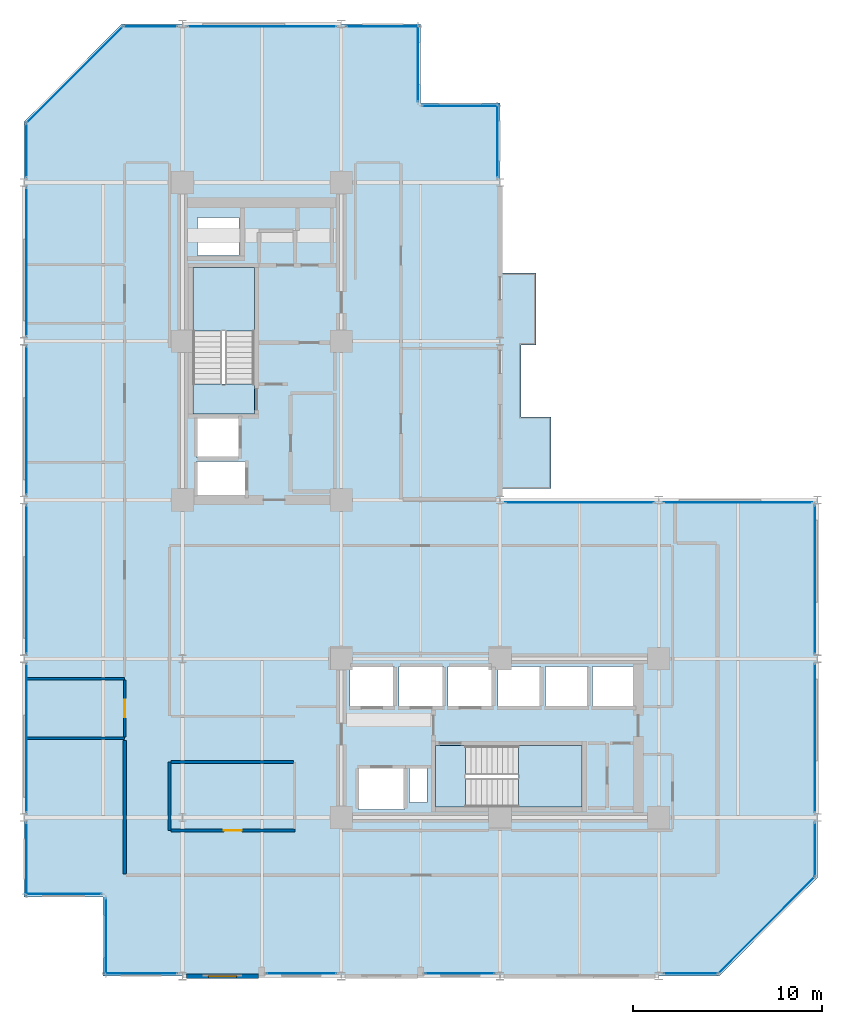
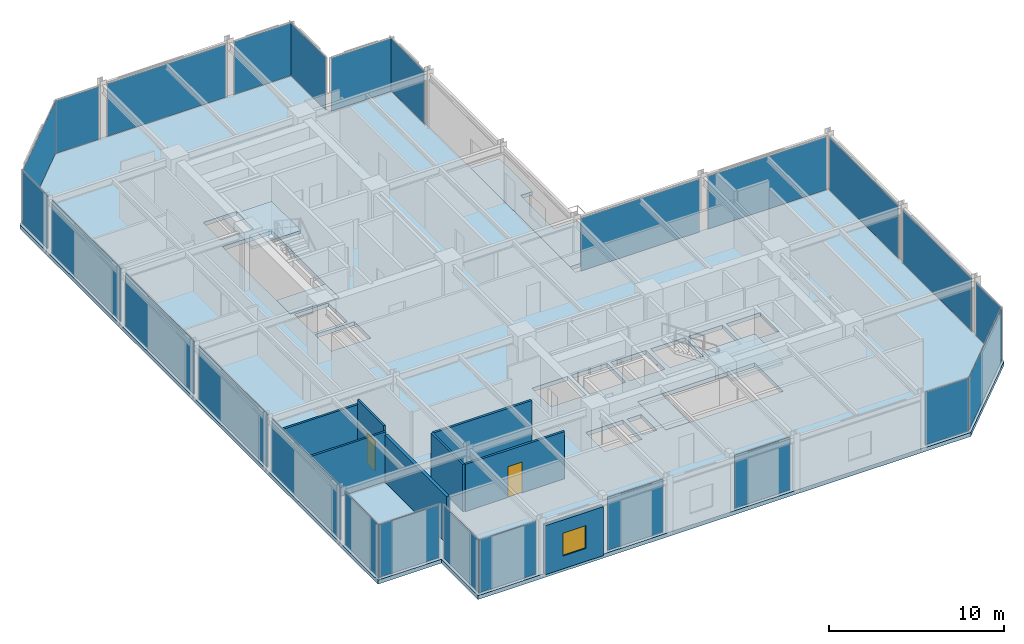
# One storey, part 23 of 29: 25 plates, 8 walls, 6 slabs, 2 doors, 1 window, 3 openings, 27 elements without a shape of their own.
"""IFC4 building model written with IfcOpenShell, lengths in metres."""

from ifc_helpers import new_model, si_unit, direction, frame, frame_2d, origin, origin_2d, place, context, subcontext, project, spatial, polyline, rectangle, outline, extrude, material, layer, layer_set, type_object, element, fill, aggregate, save


model = new_model("IFC4")

# Units and contexts
model_context = context("Model", 3, precision=1e-05, world=origin(), true_north=direction((0.0, 1.0)))
body_context = subcontext(model_context, "Body", "Model", "MODEL_VIEW")
ifc_project = project(units=[si_unit("LENGTHUNIT", "METRE"), si_unit("AREAUNIT", "SQUARE_METRE"), si_unit("VOLUMEUNIT", "CUBIC_METRE"), si_unit("PLANEANGLEUNIT", "RADIAN"), si_unit("MASSUNIT", "GRAM", prefix="KILO")], contexts=[model_context])

# Site, building, storey
site_placement = place(None, origin())
site = spatial("IfcSite", under=ifc_project, at=site_placement, CompositionType="ELEMENT")
building_placement = place(site_placement, origin())
building = spatial("IfcBuilding", under=site, at=building_placement, Name="Nerrivon Quay Data Exchange", CompositionType="ELEMENT")
storey_placement = place(building_placement, frame((0.0, 0.0, 133.60009765625)))
storey = spatial("IfcBuildingStorey", under=building, at=storey_placement, Name="L31", CompositionType="ELEMENT", Elevation=133.60009765625)

# Curtain wall, plate
ifc_material_1 = material(Name="Anodised aluminium 6063-T6", Category="aluminium")
ifc_layer_1 = layer(ifc_material_1, 0.2099609375)
ifc_layer_set_1 = layer_set([ifc_layer_1], Name="Anodised aluminium 6063-T6")
curtain_wall_type = type_object("IfcCurtainWallType", Name="CW-SYS-02", PredefinedType="NOTDEFINED", material=ifc_layer_set_1)
curtain_wall_1_placement = place(storey_placement, origin())
curtain_wall_1 = element("IfcCurtainWall", 1, at=curtain_wall_1_placement, inside=storey, type_object=curtain_wall_type, Name="L31 Unitised Curtain Wall 1", PredefinedType="NOTDEFINED")
ifc_material_2 = material(Name="Double-glazed low-E solar control glass", Category="glass")
ifc_layer_2 = layer(ifc_material_2, 0.028076171875)
ifc_layer_set_2 = layer_set([ifc_layer_2], Name="Double-glazed low-E solar control glass")
plate_type = type_object("IfcPlateType", Name="CWP-GLZ-28", PredefinedType="CURTAIN_PANEL", material=ifc_layer_set_2)
plate_1_placement = place(storey_placement, frame((39.301025390625, 2.698974609375, 0.06494140625), z_axis=(0.0, 0.0, 1.0), x_axis=(-0.707106781187, -0.707106781187, 0.0)))
plate_1 = element("IfcPlate", 2, at=plate_1_placement, type_object=plate_type, Name="CW02 panel 1.1", PredefinedType="CURTAIN_PANEL", context=body_context, shape_type="SweptSolid", body=[
    extrude(rectangle(XDim=7.203857421875, YDim=0.028076171875, at=origin_2d()), origin(), (0.0, 0.0, 1.0), 3.695068359375),
])
aggregate(curtain_wall_1, [plate_1])

curtain_wall_2_placement = place(storey_placement, origin())
curtain_wall_2 = element("IfcCurtainWall", 3, at=curtain_wall_2_placement, inside=storey, type_object=curtain_wall_type, Name="L31 Unitised Curtain Wall 2", PredefinedType="NOTDEFINED")
plate_2_placement = place(storey_placement, frame((35.300048828125, 0.139892578125, 0.06494140625), z_axis=(0.0, 0.0, 1.0), x_axis=(-1.0, 0.0, 0.0)))
plate_2 = element("IfcPlate", 4, at=plate_2_placement, type_object=plate_type, Name="CW02 panel 1.1", PredefinedType="CURTAIN_PANEL", context=body_context, shape_type="SweptSolid", body=[
    extrude(rectangle(XDim=2.85009765625, YDim=0.028076171875, at=origin_2d()), origin(), (0.0, 0.0, 1.0), 3.695068359375),
])
aggregate(curtain_wall_2, [plate_2])

curtain_wall_3_placement = place(storey_placement, origin())
curtain_wall_3 = element("IfcCurtainWall", 5, at=curtain_wall_3_placement, inside=storey, type_object=curtain_wall_type, Name="L31 Unitised Curtain Wall 4", PredefinedType="NOTDEFINED")
plate_3_placement = place(storey_placement, frame((23.08740234375, 0.139892578125, 0.06494140625), z_axis=(0.0, 0.0, 1.0), x_axis=(-1.0, 0.0, 0.0)))
plate_3 = element("IfcPlate", 6, at=plate_3_placement, type_object=plate_type, Name="CW02 panel 1.1", PredefinedType="CURTAIN_PANEL", context=body_context, shape_type="SweptSolid", body=[
    extrude(rectangle(XDim=3.675048828125, YDim=0.028076171875, at=origin_2d()), origin(), (0.0, 0.0, 1.0), 3.695068359375),
])
aggregate(curtain_wall_3, [plate_3])

curtain_wall_4_placement = place(storey_placement, origin())
curtain_wall_4 = element("IfcCurtainWall", 7, at=curtain_wall_4_placement, inside=storey, type_object=curtain_wall_type, Name="L31 Unitised Curtain Wall 6", PredefinedType="NOTDEFINED")
plate_4_placement = place(storey_placement, frame((14.6875, 0.139892578125, 0.06494140625), z_axis=(0.0, 0.0, 1.0), x_axis=(-1.0, 0.0, 0.0)))
plate_4 = element("IfcPlate", 8, at=plate_4_placement, type_object=plate_type, Name="CW02 panel 1.1", PredefinedType="CURTAIN_PANEL", context=body_context, shape_type="SweptSolid", body=[
    extrude(rectangle(XDim=3.675048828125, YDim=0.028076171875, at=origin_2d()), origin(), (0.0, 0.0, 1.0), 3.695068359375),
])
aggregate(curtain_wall_4, [plate_4])

curtain_wall_5_placement = place(storey_placement, origin())
curtain_wall_5 = element("IfcCurtainWall", 9, at=curtain_wall_5_placement, inside=storey, type_object=curtain_wall_type, Name="L31 Unitised Curtain Wall 8", PredefinedType="NOTDEFINED")
plate_5_placement = place(storey_placement, frame((6.199951171875, 0.139892578125, 0.06494140625), z_axis=(0.0, 0.0, 1.0), x_axis=(-1.0, 0.0, 0.0)))
plate_5 = element("IfcPlate", 10, at=plate_5_placement, type_object=plate_type, Name="CW02 panel 1.1", PredefinedType="CURTAIN_PANEL", context=body_context, shape_type="SweptSolid", body=[
    extrude(rectangle(XDim=3.85009765625, YDim=0.028076171875, at=origin_2d()), origin(), (0.0, 0.0, 1.0), 3.695068359375),
])
aggregate(curtain_wall_5, [plate_5])

curtain_wall_6_placement = place(storey_placement, origin())
curtain_wall_6 = element("IfcCurtainWall", 11, at=curtain_wall_6_placement, inside=storey, type_object=curtain_wall_type, Name="L31 Unitised Curtain Wall 9", PredefinedType="NOTDEFINED")
plate_6_placement = place(storey_placement, frame((4.340087890625, 2.10009765625, 0.06494140625), z_axis=(0.0, 0.0, 1.0), x_axis=(0.0, 1.0, 0.0)))
plate_6 = element("IfcPlate", 12, at=plate_6_placement, type_object=plate_type, Name="CW02 panel 1.1", PredefinedType="CURTAIN_PANEL", context=body_context, shape_type="SweptSolid", body=[
    extrude(rectangle(XDim=4.050048828125, YDim=0.028076171875, at=origin_2d()), origin(), (0.0, 0.0, 1.0), 3.695068359375),
])
aggregate(curtain_wall_6, [plate_6])

curtain_wall_7_placement = place(storey_placement, origin())
curtain_wall_7 = element("IfcCurtainWall", 13, at=curtain_wall_7_placement, inside=storey, type_object=curtain_wall_type, Name="L31 Unitised Curtain Wall 10", PredefinedType="NOTDEFINED")
plate_7_placement = place(storey_placement, frame((2.10009765625, 4.340087890625, 0.06494140625), z_axis=(0.0, 0.0, 1.0), x_axis=(-1.0, 0.0, 0.0)))
plate_7 = element("IfcPlate", 14, at=plate_7_placement, type_object=plate_type, Name="CW02 panel 1.1", PredefinedType="CURTAIN_PANEL", context=body_context, shape_type="SweptSolid", body=[
    extrude(rectangle(XDim=4.050048828125, YDim=0.028076171875, at=origin_2d()), origin(), (0.0, 0.0, 1.0), 3.695068359375),
])
aggregate(curtain_wall_7, [plate_7])

curtain_wall_8_placement = place(storey_placement, origin())
curtain_wall_8 = element("IfcCurtainWall", 15, at=curtain_wall_8_placement, inside=storey, type_object=curtain_wall_type, Name="L31 Unitised Curtain Wall 11", PredefinedType="NOTDEFINED")
plate_8_placement = place(storey_placement, frame((0.139892578125, 6.199951171875, 0.06494140625), z_axis=(0.0, 0.0, 1.0), x_axis=(0.0, 1.0, 0.0)))
plate_8 = element("IfcPlate", 16, at=plate_8_placement, type_object=plate_type, Name="CW02 panel 1.1", PredefinedType="CURTAIN_PANEL", context=body_context, shape_type="SweptSolid", body=[
    extrude(rectangle(XDim=3.85009765625, YDim=0.028076171875, at=origin_2d()), origin(), (0.0, 0.0, 1.0), 3.695068359375),
])
aggregate(curtain_wall_8, [plate_8])

curtain_wall_9_placement = place(storey_placement, origin())
curtain_wall_9 = element("IfcCurtainWall", 17, at=curtain_wall_9_placement, inside=storey, type_object=curtain_wall_type, Name="L31 Unitised Curtain Wall 12", PredefinedType="NOTDEFINED")
plate_9_placement = place(storey_placement, frame((0.139892578125, 12.60009765625, 0.06494140625), z_axis=(0.0, 0.0, 1.0), x_axis=(0.0, 1.0, 0.0)))
plate_9 = element("IfcPlate", 18, at=plate_9_placement, type_object=plate_type, Name="CW02 panel 1.1", PredefinedType="CURTAIN_PANEL", context=body_context, shape_type="SweptSolid", body=[
    extrude(rectangle(XDim=7.85009765625, YDim=0.028076171875, at=origin_2d()), origin(), (0.0, 0.0, 1.0), 3.695068359375),
])
aggregate(curtain_wall_9, [plate_9])

curtain_wall_10_placement = place(storey_placement, origin())
curtain_wall_10 = element("IfcCurtainWall", 19, at=curtain_wall_10_placement, inside=storey, type_object=curtain_wall_type, Name="L31 Unitised Curtain Wall 13", PredefinedType="NOTDEFINED")
plate_10_placement = place(storey_placement, frame((0.139892578125, 21.0, 0.06494140625), z_axis=(0.0, 0.0, 1.0), x_axis=(0.0, 1.0, 0.0)))
plate_10 = element("IfcPlate", 20, at=plate_10_placement, type_object=plate_type, Name="CW02 panel 1.1", PredefinedType="CURTAIN_PANEL", context=body_context, shape_type="SweptSolid", body=[
    extrude(rectangle(XDim=7.85009765625, YDim=0.028076171875, at=origin_2d()), origin(), (0.0, 0.0, 1.0), 3.695068359375),
])
aggregate(curtain_wall_10, [plate_10])

curtain_wall_11_placement = place(storey_placement, origin())
curtain_wall_11 = element("IfcCurtainWall", 21, at=curtain_wall_11_placement, inside=storey, type_object=curtain_wall_type, Name="L31 Unitised Curtain Wall 14", PredefinedType="NOTDEFINED")
plate_11_placement = place(storey_placement, frame((0.139892578125, 29.39990234375, 0.06494140625), z_axis=(0.0, 0.0, 1.0), x_axis=(0.0, 1.0, 0.0)))
plate_11 = element("IfcPlate", 22, at=plate_11_placement, type_object=plate_type, Name="CW02 panel 1.1", PredefinedType="CURTAIN_PANEL", context=body_context, shape_type="SweptSolid", body=[
    extrude(rectangle(XDim=7.85009765625, YDim=0.028076171875, at=origin_2d()), origin(), (0.0, 0.0, 1.0), 3.695068359375),
])
aggregate(curtain_wall_11, [plate_11])

curtain_wall_12_placement = place(storey_placement, origin())
curtain_wall_12 = element("IfcCurtainWall", 23, at=curtain_wall_12_placement, inside=storey, type_object=curtain_wall_type, Name="L31 Unitised Curtain Wall 15", PredefinedType="NOTDEFINED")
plate_12_placement = place(storey_placement, frame((0.139892578125, 37.800048828125, 0.06494140625), z_axis=(0.0, 0.0, 1.0), x_axis=(0.0, 1.0, 0.0)))
plate_12 = element("IfcPlate", 24, at=plate_12_placement, type_object=plate_type, Name="CW02 panel 1.1", PredefinedType="CURTAIN_PANEL", context=body_context, shape_type="SweptSolid", body=[
    extrude(rectangle(XDim=7.85009765625, YDim=0.028076171875, at=origin_2d()), origin(), (0.0, 0.0, 1.0), 3.695068359375),
])
aggregate(curtain_wall_12, [plate_12])

curtain_wall_13_placement = place(storey_placement, origin())
curtain_wall_13 = element("IfcCurtainWall", 25, at=curtain_wall_13_placement, inside=storey, type_object=curtain_wall_type, Name="L31 Unitised Curtain Wall 16", PredefinedType="NOTDEFINED")
plate_13_placement = place(storey_placement, frame((0.139892578125, 43.699951171875, 0.06494140625), z_axis=(0.0, 0.0, 1.0), x_axis=(0.0, 1.0, 0.0)))
plate_13 = element("IfcPlate", 26, at=plate_13_placement, type_object=plate_type, Name="CW02 panel 1.1", PredefinedType="CURTAIN_PANEL", context=body_context, shape_type="SweptSolid", body=[
    extrude(rectangle(XDim=2.85009765625, YDim=0.028076171875, at=origin_2d()), origin(), (0.0, 0.0, 1.0), 3.695068359375),
])
aggregate(curtain_wall_13, [plate_13])

curtain_wall_14_placement = place(storey_placement, origin())
curtain_wall_14 = element("IfcCurtainWall", 27, at=curtain_wall_14_placement, inside=storey, type_object=curtain_wall_type, Name="L31 Unitised Curtain Wall 17", PredefinedType="NOTDEFINED")
plate_14_placement = place(storey_placement, frame((2.698974609375, 47.700927734375, 0.06494140625), z_axis=(0.0, 0.0, 1.0), x_axis=(0.707106781187, 0.707106781187, 0.0)))
plate_14 = element("IfcPlate", 28, at=plate_14_placement, type_object=plate_type, Name="CW02 panel 1.1", PredefinedType="CURTAIN_PANEL", context=body_context, shape_type="SweptSolid", body=[
    extrude(rectangle(XDim=7.203857421875, YDim=0.028076171875, at=origin_2d()), origin(), (0.0, 0.0, 1.0), 3.695068359375),
])
aggregate(curtain_wall_14, [plate_14])

curtain_wall_15_placement = place(storey_placement, origin())
curtain_wall_15 = element("IfcCurtainWall", 29, at=curtain_wall_15_placement, inside=storey, type_object=curtain_wall_type, Name="L31 Unitised Curtain Wall 18", PredefinedType="NOTDEFINED")
plate_15_placement = place(storey_placement, frame((6.699951171875, 50.260009765625, 0.06494140625), z_axis=(0.0, 0.0, 1.0), x_axis=(1.0, 0.0, 0.0)))
plate_15 = element("IfcPlate", 30, at=plate_15_placement, type_object=plate_type, Name="CW02 panel 1.1", PredefinedType="CURTAIN_PANEL", context=body_context, shape_type="SweptSolid", body=[
    extrude(rectangle(XDim=2.85009765625, YDim=0.028076171875, at=origin_2d()), origin(), (0.0, 0.0, 1.0), 3.695068359375),
])
aggregate(curtain_wall_15, [plate_15])

curtain_wall_16_placement = place(storey_placement, origin())
curtain_wall_16 = element("IfcCurtainWall", 31, at=curtain_wall_16_placement, inside=storey, type_object=curtain_wall_type, Name="L31 Unitised Curtain Wall 19", PredefinedType="NOTDEFINED")
plate_16_placement = place(storey_placement, frame((12.60009765625, 50.260009765625, 0.06494140625), z_axis=(0.0, 0.0, 1.0), x_axis=(1.0, 0.0, 0.0)))
plate_16 = element("IfcPlate", 32, at=plate_16_placement, type_object=plate_type, Name="CW02 panel 1.1", PredefinedType="CURTAIN_PANEL", context=body_context, shape_type="SweptSolid", body=[
    extrude(rectangle(XDim=7.85009765625, YDim=0.028076171875, at=origin_2d()), origin(), (0.0, 0.0, 1.0), 3.695068359375),
])
aggregate(curtain_wall_16, [plate_16])

curtain_wall_17_placement = place(storey_placement, origin())
curtain_wall_17 = element("IfcCurtainWall", 33, at=curtain_wall_17_placement, inside=storey, type_object=curtain_wall_type, Name="L31 Unitised Curtain Wall 20", PredefinedType="NOTDEFINED")
plate_17_placement = place(storey_placement, frame((19.0, 50.260009765625, 0.06494140625), z_axis=(0.0, 0.0, 1.0), x_axis=(1.0, 0.0, 0.0)))
plate_17 = element("IfcPlate", 34, at=plate_17_placement, type_object=plate_type, Name="CW02 panel 1.1", PredefinedType="CURTAIN_PANEL", context=body_context, shape_type="SweptSolid", body=[
    extrude(rectangle(XDim=3.85009765625, YDim=0.028076171875, at=origin_2d()), origin(), (0.0, 0.0, 1.0), 3.695068359375),
])
aggregate(curtain_wall_17, [plate_17])

curtain_wall_18_placement = place(storey_placement, origin())
curtain_wall_18 = element("IfcCurtainWall", 35, at=curtain_wall_18_placement, inside=storey, type_object=curtain_wall_type, Name="L31 Unitised Curtain Wall 21", PredefinedType="NOTDEFINED")
plate_18_placement = place(storey_placement, frame((20.860107421875, 48.300048828125, 0.06494140625), z_axis=(0.0, 0.0, 1.0), x_axis=(0.0, -1.0, 0.0)))
plate_18 = element("IfcPlate", 36, at=plate_18_placement, type_object=plate_type, Name="CW02 panel 1.1", PredefinedType="CURTAIN_PANEL", context=body_context, shape_type="SweptSolid", body=[
    extrude(rectangle(XDim=4.050048828125, YDim=0.028076171875, at=origin_2d()), origin(), (0.0, 0.0, 1.0), 3.695068359375),
])
aggregate(curtain_wall_18, [plate_18])

curtain_wall_19_placement = place(storey_placement, origin())
curtain_wall_19 = element("IfcCurtainWall", 37, at=curtain_wall_19_placement, inside=storey, type_object=curtain_wall_type, Name="L31 Unitised Curtain Wall 22", PredefinedType="NOTDEFINED")
plate_19_placement = place(storey_placement, frame((23.10009765625, 46.06005859375, 0.06494140625), z_axis=(0.0, 0.0, 1.0), x_axis=(1.0, 0.0, 0.0)))
plate_19 = element("IfcPlate", 38, at=plate_19_placement, type_object=plate_type, Name="CW02 panel 1.1", PredefinedType="CURTAIN_PANEL", context=body_context, shape_type="SweptSolid", body=[
    extrude(rectangle(XDim=4.050048828125, YDim=0.028076171875, at=origin_2d()), origin(), (0.0, 0.0, 1.0), 3.695068359375),
])
aggregate(curtain_wall_19, [plate_19])

curtain_wall_20_placement = place(storey_placement, origin())
curtain_wall_20 = element("IfcCurtainWall", 39, at=curtain_wall_20_placement, inside=storey, type_object=curtain_wall_type, Name="L31 Unitised Curtain Wall 23", PredefinedType="NOTDEFINED")
plate_20_placement = place(storey_placement, frame((25.06005859375, 44.199951171875, 0.06494140625), z_axis=(0.0, 0.0, 1.0), x_axis=(0.0, -1.0, 0.0)))
plate_20 = element("IfcPlate", 40, at=plate_20_placement, type_object=plate_type, Name="CW02 panel 1.1", PredefinedType="CURTAIN_PANEL", context=body_context, shape_type="SweptSolid", body=[
    extrude(rectangle(XDim=3.85009765625, YDim=0.028076171875, at=origin_2d()), origin(), (0.0, 0.0, 1.0), 3.695068359375),
])
aggregate(curtain_wall_20, [plate_20])

curtain_wall_21_placement = place(storey_placement, origin())
curtain_wall_21 = element("IfcCurtainWall", 41, at=curtain_wall_21_placement, inside=storey, type_object=curtain_wall_type, Name="L31 Unitised Curtain Wall 26", PredefinedType="NOTDEFINED")
plate_21_placement = place(storey_placement, frame((29.39990234375, 25.06005859375, 0.06494140625), z_axis=(0.0, 0.0, 1.0), x_axis=(1.0, 0.0, 0.0)))
plate_21 = element("IfcPlate", 42, at=plate_21_placement, type_object=plate_type, Name="CW02 panel 1.1", PredefinedType="CURTAIN_PANEL", context=body_context, shape_type="SweptSolid", body=[
    extrude(rectangle(XDim=7.85009765625, YDim=0.028076171875, at=origin_2d()), origin(), (0.0, 0.0, 1.0), 3.695068359375),
])
aggregate(curtain_wall_21, [plate_21])

curtain_wall_22_placement = place(storey_placement, origin())
curtain_wall_22 = element("IfcCurtainWall", 43, at=curtain_wall_22_placement, inside=storey, type_object=curtain_wall_type, Name="L31 Unitised Curtain Wall 27", PredefinedType="NOTDEFINED")
plate_22_placement = place(storey_placement, frame((37.800048828125, 25.06005859375, 0.06494140625), z_axis=(0.0, 0.0, 1.0), x_axis=(1.0, 0.0, 0.0)))
plate_22 = element("IfcPlate", 44, at=plate_22_placement, type_object=plate_type, Name="CW02 panel 1.1", PredefinedType="CURTAIN_PANEL", context=body_context, shape_type="SweptSolid", body=[
    extrude(rectangle(XDim=7.85009765625, YDim=0.028076171875, at=origin_2d()), origin(), (0.0, 0.0, 1.0), 3.695068359375),
])
aggregate(curtain_wall_22, [plate_22])

curtain_wall_23_placement = place(storey_placement, origin())
curtain_wall_23 = element("IfcCurtainWall", 45, at=curtain_wall_23_placement, inside=storey, type_object=curtain_wall_type, Name="L31 Unitised Curtain Wall 28", PredefinedType="NOTDEFINED")
plate_23_placement = place(storey_placement, frame((41.860107421875, 21.0, 0.06494140625), z_axis=(0.0, 0.0, 1.0), x_axis=(0.0, -1.0, 0.0)))
plate_23 = element("IfcPlate", 46, at=plate_23_placement, type_object=plate_type, Name="CW02 panel 1.1", PredefinedType="CURTAIN_PANEL", context=body_context, shape_type="SweptSolid", body=[
    extrude(rectangle(XDim=7.85009765625, YDim=0.028076171875, at=origin_2d()), origin(), (0.0, 0.0, 1.0), 3.695068359375),
])
aggregate(curtain_wall_23, [plate_23])

curtain_wall_24_placement = place(storey_placement, origin())
curtain_wall_24 = element("IfcCurtainWall", 47, at=curtain_wall_24_placement, inside=storey, type_object=curtain_wall_type, Name="L31 Unitised Curtain Wall 29", PredefinedType="NOTDEFINED")
plate_24_placement = place(storey_placement, frame((41.860107421875, 12.60009765625, 0.06494140625), z_axis=(0.0, 0.0, 1.0), x_axis=(0.0, -1.0, 0.0)))
plate_24 = element("IfcPlate", 48, at=plate_24_placement, type_object=plate_type, Name="CW02 panel 1.1", PredefinedType="CURTAIN_PANEL", context=body_context, shape_type="SweptSolid", body=[
    extrude(rectangle(XDim=7.85009765625, YDim=0.028076171875, at=origin_2d()), origin(), (0.0, 0.0, 1.0), 3.695068359375),
])
aggregate(curtain_wall_24, [plate_24])

curtain_wall_25_placement = place(storey_placement, origin())
curtain_wall_25 = element("IfcCurtainWall", 49, at=curtain_wall_25_placement, inside=storey, type_object=curtain_wall_type, Name="L31 Unitised Curtain Wall 30", PredefinedType="NOTDEFINED")
plate_25_placement = place(storey_placement, frame((41.860107421875, 6.699951171875, 0.06494140625), z_axis=(0.0, 0.0, 1.0), x_axis=(0.0, -1.0, 0.0)))
plate_25 = element("IfcPlate", 50, at=plate_25_placement, type_object=plate_type, Name="CW02 panel 1.1", PredefinedType="CURTAIN_PANEL", context=body_context, shape_type="SweptSolid", body=[
    extrude(rectangle(XDim=2.85009765625, YDim=0.028076171875, at=origin_2d()), origin(), (0.0, 0.0, 1.0), 3.695068359375),
])
aggregate(curtain_wall_25, [plate_25])

# Slab
ifc_material_3 = material(Name="Precast white architectural concrete N50 (50 MPa)", Category="concrete")
ifc_layer_3 = layer(ifc_material_3, 0.25)
ifc_layer_set_3 = layer_set([ifc_layer_3], Name="Precast white architectural concrete N50 (50 MPa)")
slab_type_1 = type_object("IfcSlabType", Name="SLB-BAL-250", PredefinedType="FLOOR", material=ifc_layer_set_3)
slab_1_placement = place(storey_placement, frame((0.0, 0.0, -0.25)))
element("IfcSlab", 51, at=slab_1_placement, inside=storey, type_object=slab_type_1, Name="L31 Waterfront Subtropical Verandah", PredefinedType="FLOOR", context=body_context, shape_type="SweptSolid", body=[
    extrude(outline(polyline([(26.300048828125, 29.60009765625), (26.300048828125, 33.39990234375), (27.10009765625, 33.39990234375), (27.10009765625, 37.199951171875), (25.199951171875, 37.199951171875), (25.199951171875, 33.39990234375), (25.199951171875, 29.60009765625), (25.199951171875, 25.800048828125), (27.89990234375, 25.800048828125), (27.89990234375, 29.60009765625), (26.300048828125, 29.60009765625)])), origin(), (0.0, 0.0, 1.0), 0.25),
])

# Stair, slab
ifc_material_4 = material(Name="Concrete N50 (50 MPa)", Category="concrete")
stair_type = type_object("IfcStairType", Name="STAIR-DOG-41", PredefinedType="HALF_TURN_STAIR", material=ifc_material_4)
stair_1_placement = place(storey_placement, origin())
stair_1 = element("IfcStair", 52, at=stair_1_placement, inside=storey, type_object=stair_type, Name="L31 West Core Fire Stair ST01", PredefinedType="HALF_TURN_STAIR")
ifc_layer_4 = layer(ifc_material_4, 0.199951171875)
ifc_layer_set_4 = layer_set([ifc_layer_4], Name="Concrete N50 (50 MPa)")
slab_type_2 = type_object("IfcSlabType", Name="SLB-LAND-200", PredefinedType="LANDING", material=ifc_layer_set_4)
slab_2_placement = place(storey_placement, frame((0.0, 0.0, 1.849853515625)))
slab_2 = element("IfcSlab", 53, at=slab_2_placement, type_object=slab_type_2, Name="ST01 landing 1", PredefinedType="LANDING", context=body_context, shape_type="SweptSolid", body=[
    extrude(outline(polyline([(12.199951171875, 34.1298828125), (12.199951171875, 37.5), (8.949951171875, 37.5), (8.949951171875, 34.1298828125), (12.199951171875, 34.1298828125)])), origin(), (0.0, 0.0, 1.0), 0.199951171875),
])
aggregate(stair_1, [slab_2])

# Slab
slab_3_placement = place(storey_placement, frame((0.0, 0.0, -0.2001953125)))
element("IfcSlab", 54, at=slab_3_placement, inside=storey, type_object=slab_type_2, Name="L31 ST01 floor landing", PredefinedType="LANDING", context=body_context, shape_type="SweptSolid", body=[
    extrude(outline(polyline([(12.199951171875, 29.75), (12.199951171875, 31.330078125), (8.949951171875, 31.330078125), (8.949951171875, 29.75), (12.199951171875, 29.75)])), origin(), (0.0, 0.0, 1.0), 0.2001953125),
])

# Stair, slab
stair_2_placement = place(storey_placement, origin())
stair_2 = element("IfcStair", 55, at=stair_2_placement, inside=storey, type_object=stair_type, Name="L31 East Core Fire Stair ST02", PredefinedType="HALF_TURN_STAIR")
slab_4_placement = place(storey_placement, frame((0.0, 0.0, 1.849853515625)))
slab_4 = element("IfcSlab", 56, at=slab_4_placement, type_object=slab_type_2, Name="ST02 landing 1", PredefinedType="LANDING", context=body_context, shape_type="SweptSolid", body=[
    extrude(outline(polyline([(26.179931640625, 8.949951171875), (29.550048828125, 8.949951171875), (29.550048828125, 12.199951171875), (26.179931640625, 12.199951171875), (26.179931640625, 8.949951171875)])), origin(), (0.0, 0.0, 1.0), 0.199951171875),
])
aggregate(stair_2, [slab_4])

# Slabs
slab_5_placement = place(storey_placement, frame((0.0, 0.0, -0.2001953125)))
element("IfcSlab", 57, at=slab_5_placement, inside=storey, type_object=slab_type_2, Name="L31 ST02 floor landing", PredefinedType="LANDING", context=body_context, shape_type="SweptSolid", body=[
    extrude(outline(polyline([(21.800048828125, 8.949951171875), (23.3798828125, 8.949951171875), (23.3798828125, 12.199951171875), (21.800048828125, 12.199951171875), (21.800048828125, 8.949951171875)])), origin(), (0.0, 0.0, 1.0), 0.2001953125),
])
ifc_layer_5 = layer(ifc_material_4, 0.27490234375)
ifc_layer_set_5 = layer_set([ifc_layer_5], Name="Concrete N50 (50 MPa)")
slab_type_3 = type_object("IfcSlabType", Name="SLB-TOW-275", PredefinedType="FLOOR", material=ifc_layer_set_5)
slab_6_placement = place(storey_placement, frame((0.0, 0.0, -0.275146484375)))
element("IfcSlab", 58, at=slab_6_placement, inside=storey, type_object=slab_type_3, Name="L31 Primary Structural Slab", PredefinedType="FLOOR", context=body_context, shape_type="SweptSolid", body=[
    extrude(outline(polyline([(42.0, 25.199951171875), (25.199951171875, 25.199951171875), (25.199951171875, 46.199951171875), (21.0, 46.199951171875), (21.0, 50.39990234375), (5.199951171875, 50.39990234375), (0.0, 45.199951171875), (0.0, 4.199951171875), (4.199951171875, 4.199951171875), (4.199951171875, 0.0), (36.800048828125, 0.0), (42.0, 5.199951171875), (42.0, 25.199951171875)]), holes=[polyline([(8.949951171875, 29.75), (8.949951171875, 37.5), (12.199951171875, 37.5), (12.199951171875, 29.75), (8.949951171875, 29.75)]), polyline([(21.800048828125, 12.199951171875), (29.550048828125, 12.199951171875), (29.550048828125, 8.949951171875), (21.800048828125, 8.949951171875), (21.800048828125, 12.199951171875)]), polyline([(30.10009765625, 16.39990234375), (32.35009765625, 16.39990234375), (32.35009765625, 14.25), (30.10009765625, 14.25), (30.10009765625, 16.39990234375)]), polyline([(27.60009765625, 16.39990234375), (29.85009765625, 16.39990234375), (29.85009765625, 14.25), (27.60009765625, 14.25), (27.60009765625, 16.39990234375)]), polyline([(25.10009765625, 14.25), (25.10009765625, 16.39990234375), (27.35009765625, 16.39990234375), (27.35009765625, 14.25), (25.10009765625, 14.25)]), polyline([(22.449951171875, 16.39990234375), (24.800048828125, 16.39990234375), (24.800048828125, 14.25), (22.449951171875, 14.25), (22.449951171875, 16.39990234375)]), polyline([(19.85009765625, 16.39990234375), (22.199951171875, 16.39990234375), (22.199951171875, 14.25), (19.85009765625, 14.25), (19.85009765625, 16.39990234375)]), polyline([(20.39990234375, 9.199951171875), (20.39990234375, 11.0), (21.35009765625, 11.0), (21.35009765625, 9.199951171875), (20.39990234375, 9.199951171875)]), polyline([(17.699951171875, 8.830078125), (17.699951171875, 11.030029296875), (20.14990234375, 11.030029296875), (20.14990234375, 8.830078125), (17.699951171875, 8.830078125)]), polyline([(17.25, 14.25), (17.25, 16.39990234375), (19.60009765625, 16.39990234375), (19.60009765625, 14.25), (17.25, 14.25)]), polyline([(9.14990234375, 27.25), (11.75, 27.25), (11.75, 25.35009765625), (9.14990234375, 25.35009765625), (9.14990234375, 27.25)]), polyline([(9.14990234375, 29.60009765625), (11.39990234375, 29.60009765625), (11.39990234375, 27.449951171875), (9.14990234375, 27.449951171875), (9.14990234375, 29.60009765625)]), polyline([(9.199951171875, 38.14990234375), (9.199951171875, 40.14990234375), (11.39990234375, 40.14990234375), (11.39990234375, 38.14990234375), (9.199951171875, 38.14990234375)])]), origin(), (0.0, 0.0, 1.0), 0.275146484375),
])

# Wall, opening, window
ifc_material_5 = material(Name="Architectural terracotta precast concrete N50 (50 MPa)", Category="masonry")
ifc_layer_6 = layer(ifc_material_5, 0.239990234375)
ifc_layer_set_6 = layer_set([ifc_layer_6], Name="Architectural terracotta precast concrete N50 (50 MPa)")
wall_type_1 = type_object("IfcWallType", Name="EW-PREC-240", PredefinedType="STANDARD", material=ifc_layer_set_6)
wall_1_placement = place(storey_placement, frame((12.425048828125, 0.0, 0.0), z_axis=(0.0, 0.0, 1.0), x_axis=(-1.0, 0.0, 0.0)))
wall_1 = element("IfcWall", 59, at=wall_1_placement, inside=storey, type_object=wall_type_1, Name="L31 Podium Precast Spandrel Wall 7", PredefinedType="STANDARD", context=body_context, shape_type="SweptSolid", body=[
    extrude(rectangle(XDim=3.824951171875, YDim=0.239990234375, at=frame_2d((1.91259765625, 0.0))), origin(), (0.0, 0.0, 1.0), 3.421875),
])
opening_1_placement = place(wall_1_placement, frame((1.16259765625, 0.0, 0.89990234375)))
opening_1 = element("IfcOpeningElement", 60, at=opening_1_placement, cuts=wall_1, Name="Opening WN4", PredefinedType="OPENING", context=body_context, shape_type="SweptSolid", body=[
    extrude(rectangle(XDim=1.5, YDim=1.60009765625, at=frame_2d((0.75, 0.800048828125))), frame((0.0, 0.1298828125, 0.0), z_axis=(0.0, -1.0, 0.0), x_axis=(1.0, 0.0, 0.0)), (0.0, 0.0, 1.0), 0.260009765625),
])
window_type = type_object("IfcWindowType", Name="WIN-W4-1500x1600", PartitioningType="SINGLE_PANEL", PredefinedType="WINDOW", material=ifc_material_2)
window_placement = place(opening_1_placement, origin())
window = element("IfcWindow", 61, at=window_placement, inside=storey, type_object=window_type, Name="L31 Solar Facade Window 7", OverallHeight=1.60009765625, OverallWidth=1.5, PartitioningType="SINGLE_PANEL", PredefinedType="WINDOW", context=body_context, shape_type="SweptSolid", body=[
    extrude(rectangle(XDim=1.5, YDim=1.60009765625, at=frame_2d((0.75, 0.800048828125))), frame((0.0, 0.030029296875, 0.0), z_axis=(0.0, -1.0, 0.0), x_axis=(1.0, 0.0, 0.0)), (0.0, 0.0, 1.0), 0.06005859375),
])
fill(opening_1, window)

# Wall
ifc_material_6 = material(Name="Gypsum plasterboard on cold-formed framing", Category="gypsum")
ifc_layer_7 = layer(ifc_material_6, 0.199951171875)
ifc_layer_set_7 = layer_set([ifc_layer_7], Name="Gypsum plasterboard on cold-formed framing")
wall_type_2 = type_object("IfcWallType", Name="WALL-FW-200", PredefinedType="PARTITIONING", material=ifc_layer_set_7)
wall_2_placement = place(storey_placement, frame((5.340087890625, 5.39990234375, 0.0), z_axis=(0.0, 0.0, 1.0), x_axis=(0.0, 1.0, 0.0)))
element("IfcWall", 62, at=wall_2_placement, inside=storey, type_object=wall_type_2, Name="L31 Partition Colocation Data Workspace 1", PredefinedType="PARTITIONING", context=body_context, shape_type="SweptSolid", body=[
    extrude(rectangle(XDim=7.080078125, YDim=0.199951171875, at=frame_2d((3.5400390625, 0.0))), origin(), (0.0, 0.0, 1.0), 3.2919921875),
])

# Wall, opening, door
ifc_layer_8 = layer(ifc_material_6, 0.1201171875)
ifc_layer_set_8 = layer_set([ifc_layer_8], Name="Gypsum plasterboard on cold-formed framing")
wall_type_3 = type_object("IfcWallType", Name="WALL-PT-120", PredefinedType="PARTITIONING", material=ifc_layer_set_8)
wall_3_placement = place(storey_placement, frame((5.340087890625, 12.67138671875, 0.0), z_axis=(0.0, 0.0, 1.0), x_axis=(0.0, 1.0, 0.0)))
wall_3 = element("IfcWall", 63, at=wall_3_placement, inside=storey, type_object=wall_type_3, Name="L31 Partition Accessible Toilet", PredefinedType="PARTITIONING", context=body_context, shape_type="SweptSolid", body=[
    extrude(rectangle(XDim=3.007080078125, YDim=0.1201171875, at=frame_2d((1.50341796875, 0.0))), origin(), (0.0, 0.0, 1.0), 3.824951171875),
])
opening_2_placement = place(wall_3_placement, frame((1.04345703125, 0.0, 0.0)))
opening_2 = element("IfcOpeningElement", 64, at=opening_2_placement, cuts=wall_3, Name="Opening D-WC", PredefinedType="OPENING", context=body_context, shape_type="SweptSolid", body=[
    extrude(rectangle(XDim=0.919921875, YDim=2.10009765625, at=frame_2d((0.4599609375, 1.050048828125))), frame((0.0, 0.070068359375, 0.0), z_axis=(0.0, -1.0, 0.0), x_axis=(1.0, 0.0, 0.0)), (0.0, 0.0, 1.0), 0.14013671875),
])
ifc_material_7 = material(Name="Engineered hardwood timber", Category="wood")
door_type_1 = type_object("IfcDoorType", Name="DR-WC-920", OperationType="NOTDEFINED", PredefinedType="DOOR", material=ifc_material_7)
door_1_placement = place(opening_2_placement, origin())
door_1 = element("IfcDoor", 65, at=door_1_placement, inside=storey, type_object=door_type_1, Name="L31 Door Accessible Toilet", OperationType="SINGLE_SWING_LEFT", OverallHeight=2.10009765625, OverallWidth=0.919921875, PredefinedType="DOOR", context=body_context, shape_type="SweptSolid", body=[
    extrude(rectangle(XDim=0.919921875, YDim=2.10009765625, at=frame_2d((0.4599609375, 1.050048828125))), frame((0.0, 0.02490234375, 0.0), z_axis=(0.0, -1.0, 0.0), x_axis=(1.0, 0.0, 0.0)), (0.0, 0.0, 1.0), 0.050048828125),
])
fill(opening_2, door_1)

# Walls
ifc_layer_9 = layer(ifc_material_6, 0.135009765625)
ifc_layer_set_9 = layer_set([ifc_layer_9], Name="Gypsum plasterboard on cold-formed framing")
wall_type_4 = type_object("IfcWallType", Name="WALL-PT-135", PredefinedType="PARTITIONING", material=ifc_layer_set_9)
for number, where, z_axis, x_axis, name in (
    (66, (5.340087890625, 15.75, 0.0), (0.0, 0.0, 1.0), (-1.0, 0.0, 0.0), "L31 Partition Accessible Toilet"),
    (67, (0.1689453125, 12.60009765625, 0.0), (0.0, 0.0, 1.0), (1.0, 0.0, 0.0), "L31 Partition Accessible Toilet"),
):
    element("IfcWall", number, at=place(storey_placement, frame(where, z_axis=z_axis, x_axis=x_axis)), inside=storey, type_object=wall_type_4, Name=name, PredefinedType="PARTITIONING", context=body_context, shape_type="SweptSolid", body=[
        extrude(rectangle(XDim=5.171142578125, YDim=0.135009765625, at=frame_2d((2.58544921875, 0.0))), origin(), (0.0, 0.0, 1.0), 3.468994140625),
    ])
wall_4_placement = place(storey_placement, frame((7.7099609375, 11.340087890625, 0.0), z_axis=(0.0, 0.0, 1.0), x_axis=(0.0, -1.0, 0.0)))
element("IfcWall", 68, at=wall_4_placement, inside=storey, type_object=wall_type_4, Name="L31 Partition Client Conference Room 1", PredefinedType="PARTITIONING", context=body_context, shape_type="SweptSolid", body=[
    extrude(rectangle(XDim=3.630126953125, YDim=0.135009765625, at=frame_2d((1.81494140625, 0.0))), origin(), (0.0, 0.0, 1.0), 3.2919921875),
])

# Wall, opening, door
ifc_layer_10 = layer(ifc_material_6, 0.14990234375)
ifc_layer_set_10 = layer_set([ifc_layer_10], Name="Gypsum plasterboard on cold-formed framing")
wall_type_5 = type_object("IfcWallType", Name="WALL-PT-150", PredefinedType="PARTITIONING", material=ifc_layer_set_10)
wall_5_placement = place(storey_placement, frame((7.781494140625, 7.7099609375, 0.0), z_axis=(0.0, 0.0, 1.0), x_axis=(1.0, 0.0, 0.0)))
wall_5 = element("IfcWall", 69, at=wall_5_placement, inside=storey, type_object=wall_type_5, Name="L31 Partition Client Conference Room 1", PredefinedType="PARTITIONING", context=body_context, shape_type="SweptSolid", body=[
    extrude(rectangle(XDim=6.55859375, YDim=0.14990234375, at=frame_2d((3.279296875, 0.0))), origin(), (0.0, 0.0, 1.0), 3.296875),
])
opening_3_placement = place(wall_5_placement, frame((2.80419921875, 0.0, 0.0)))
opening_3 = element("IfcOpeningElement", 70, at=opening_3_placement, cuts=wall_5, Name="Opening D-01", PredefinedType="OPENING", context=body_context, shape_type="SweptSolid", body=[
    extrude(rectangle(XDim=0.949951171875, YDim=2.14990234375, at=frame_2d((0.47509765625, 1.074951171875))), frame((0.0, 0.0849609375, 0.0), z_axis=(0.0, -1.0, 0.0), x_axis=(1.0, 0.0, 0.0)), (0.0, 0.0, 1.0), 0.169921875),
])
door_type_2 = type_object("IfcDoorType", Name="DR-INT-950", OperationType="NOTDEFINED", PredefinedType="DOOR", material=ifc_material_7)
door_2_placement = place(opening_3_placement, origin())
door_2 = element("IfcDoor", 71, at=door_2_placement, inside=storey, type_object=door_type_2, Name="L31 Door Client Conference Room 1", OperationType="SINGLE_SWING_RIGHT", OverallHeight=2.14990234375, OverallWidth=0.949951171875, PredefinedType="DOOR", context=body_context, shape_type="SweptSolid", body=[
    extrude(rectangle(XDim=0.949951171875, YDim=2.14990234375, at=frame_2d((0.47509765625, 1.074951171875))), frame((0.0, 0.02490234375, 0.0), z_axis=(0.0, -1.0, 0.0), x_axis=(1.0, 0.0, 0.0)), (0.0, 0.0, 1.0), 0.050048828125),
])
fill(opening_3, door_2)

# Wall
wall_6_placement = place(storey_placement, frame((14.2685546875, 11.340087890625, 0.0), z_axis=(0.0, 0.0, 1.0), x_axis=(-1.0, 0.0, 0.0)))
element("IfcWall", 72, at=wall_6_placement, inside=storey, type_object=wall_type_5, Name="L31 Partition Client Conference Room 1", PredefinedType="PARTITIONING", context=body_context, shape_type="SweptSolid", body=[
    extrude(rectangle(XDim=6.487060546875, YDim=0.14990234375, at=frame_2d((3.24365234375, 0.0))), origin(), (0.0, 0.0, 1.0), 3.296875),
])

save(model, "model.ifc")
